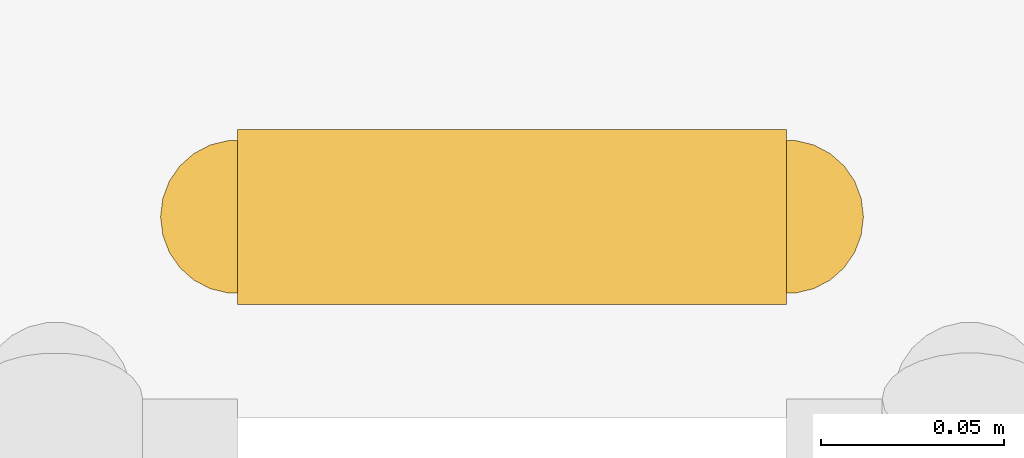
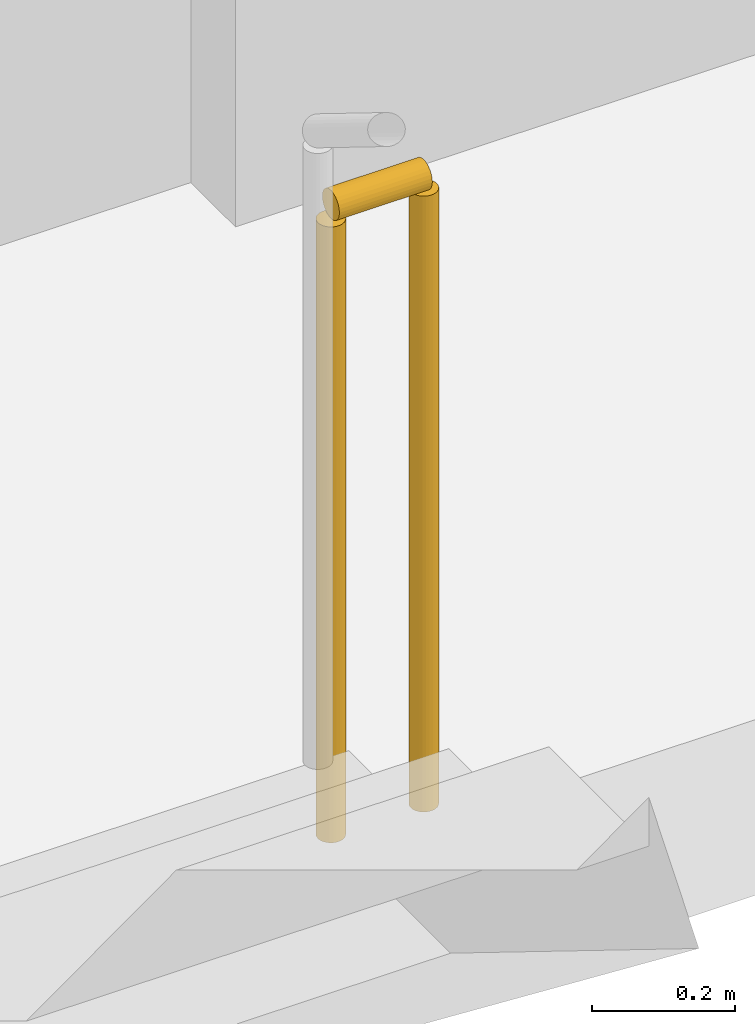
# One storey, part 13 of 18: 1 railing.
"""IFC4 building model written with IfcOpenShell, lengths in metres."""

from ifc_helpers import new_model, si_unit, direction, frame, origin, origin_2d, place, context, subcontext, project, spatial, circle, extrude, material, type_object, element, save


model = new_model("IFC4")

# Units and contexts
model_context = context("Model", 3, precision=1e-05, world=origin(), true_north=direction((0.0, 1.0)))
body_context = subcontext(model_context, "Body", "Model", "MODEL_VIEW")
ifc_project = project(units=[si_unit("LENGTHUNIT", "METRE"), si_unit("AREAUNIT", "SQUARE_METRE"), si_unit("VOLUMEUNIT", "CUBIC_METRE"), si_unit("PLANEANGLEUNIT", "RADIAN"), si_unit("MASSUNIT", "GRAM", prefix="KILO")], contexts=[model_context])

# Site, building, storey
site_placement = place(None, origin())
site = spatial("IfcSite", under=ifc_project, at=site_placement, CompositionType="ELEMENT")
building_placement = place(site_placement, origin())
building = spatial("IfcBuilding", under=site, at=building_placement, Name="Mopane Tessera Tower", CompositionType="ELEMENT")
storey_placement = place(building_placement, frame((0.0, 0.0, 94.60009765625)))
storey = spatial("IfcBuildingStorey", under=building, at=storey_placement, Name="L18", CompositionType="ELEMENT", Elevation=94.60009765625)

# Railing
ifc_material = material(Name="Powder-coated steel balustrade", Category="steel")
railing_type = type_object("IfcRailingType", Name="Escape stair guard 1100 mm", PredefinedType="GUARDRAIL", material=ifc_material)
railing_placement = place(storey_placement, frame((-12.35009765625, -1.35009765625, 0.0)))
element("IfcRailing", 1, at=railing_placement, inside=storey, type_object=railing_type, Name="L18 ST1 stair guard 3", PredefinedType="GUARDRAIL", context=body_context, shape_type="SweptSolid", body=[
    extrude(circle(Radius=0.02392578125, at=origin_2d()), frame((0.0, 0.0, 1.076171875), z_axis=(1.0, 0.0, 0.0), x_axis=(0.0, 1.0, 0.0)), (0.0, 0.0, 1.0), 0.150146484375),
    extrude(circle(Radius=0.02099609375, at=origin_2d()), origin(), (0.0, 0.0, 1.0), 1.052001953125),
    extrude(circle(Radius=0.02099609375, at=origin_2d()), frame((0.150146484375, 0.0, 0.0)), (0.0, 0.0, 1.0), 1.052001953125),
])

save(model, "model.ifc")
